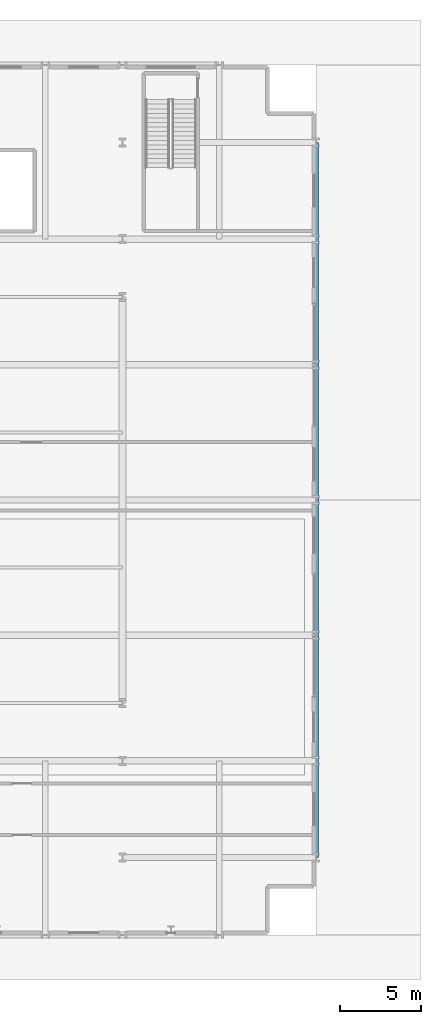
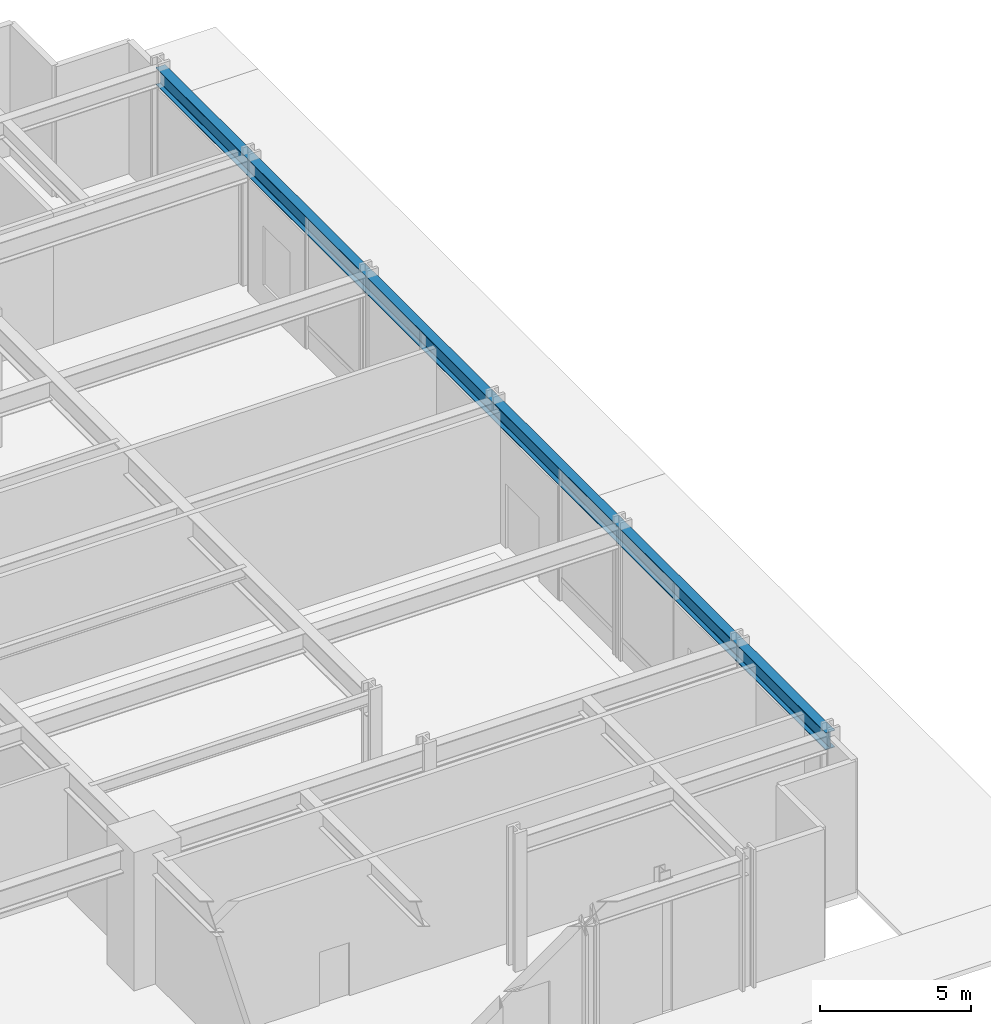
# One storey, part 8 of 21: 1 beam.
"""IFC4 building model written with IfcOpenShell, lengths in metres."""

from ifc_helpers import new_model, si_unit, direction, frame, origin, origin_2d, place, context, subcontext, project, spatial, i_section, extrude, material, material_profile, profile_set, type_object, element, save


model = new_model("IFC4")

# Units and contexts
model_context = context("Model", 3, precision=1e-05, world=origin(), true_north=direction((0.0, 1.0)))
body_context = subcontext(model_context, "Body", "Model", "MODEL_VIEW")
ifc_project = project(units=[si_unit("LENGTHUNIT", "METRE"), si_unit("AREAUNIT", "SQUARE_METRE"), si_unit("VOLUMEUNIT", "CUBIC_METRE"), si_unit("PLANEANGLEUNIT", "RADIAN"), si_unit("MASSUNIT", "GRAM", prefix="KILO")], contexts=[model_context])

# Site, building, storey
site_placement = place(None, origin())
site = spatial("IfcSite", under=ifc_project, at=site_placement, CompositionType="ELEMENT")
building_placement = place(site_placement, origin())
building = spatial("IfcBuilding", under=site, at=building_placement, Name="Drelvath Grand Hotel", CompositionType="ELEMENT")
storey_placement = place(building_placement, origin())
storey = spatial("IfcBuildingStorey", under=building, at=storey_placement, Name="L00", CompositionType="ELEMENT", Elevation=0.0)

# Beam
ifc_material = material(Name="Steel ASTM A992 Gr 50", Category="steel")
ifc_material_profile = material_profile(ifc_material, i_section(OverallWidth=0.354736328125, OverallDepth=0.695556640625, WebThickness=0.015380859375, FlangeThickness=0.025146484375, FilletRadius=0.02392578125, at=origin_2d()), Name="W27X146")
ifc_profile_set = profile_set([ifc_material_profile], Name="Steel ASTM A992 Gr 50")
beam_type = type_object("IfcBeamType", Name="Perimeter Spandrel Beam W27X146", PredefinedType="SPANDREL", material=ifc_profile_set)
beam_placement = place(storey_placement, frame((39.0, 4.800048828125, 4.9521484375), z_axis=(0.0, 1.0, 0.0), x_axis=(-1.0, 0.0, 0.0)))
element("IfcBeam", 1, at=beam_placement, inside=storey, type_object=beam_type, Name="L00 Podium Perimeter Spandrel SPE1", PredefinedType="SPANDREL", context=body_context, shape_type="SweptSolid", body=[
    extrude(i_section(OverallWidth=0.354736328125, OverallDepth=0.695556640625, WebThickness=0.015380859375, FlangeThickness=0.025146484375, FilletRadius=0.02392578125, at=origin_2d()), origin(), (0.0, 0.0, 1.0), 44.39990234375),
])

save(model, "model.ifc")
